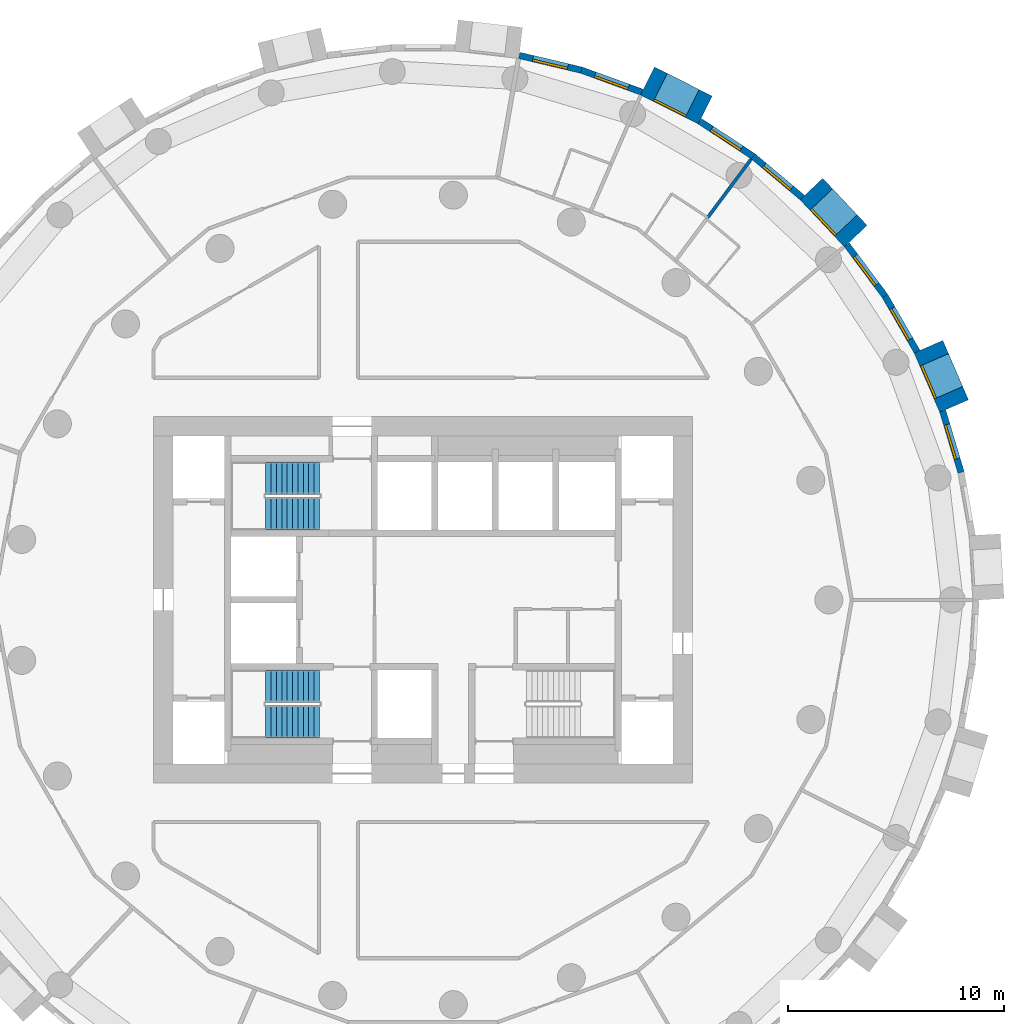
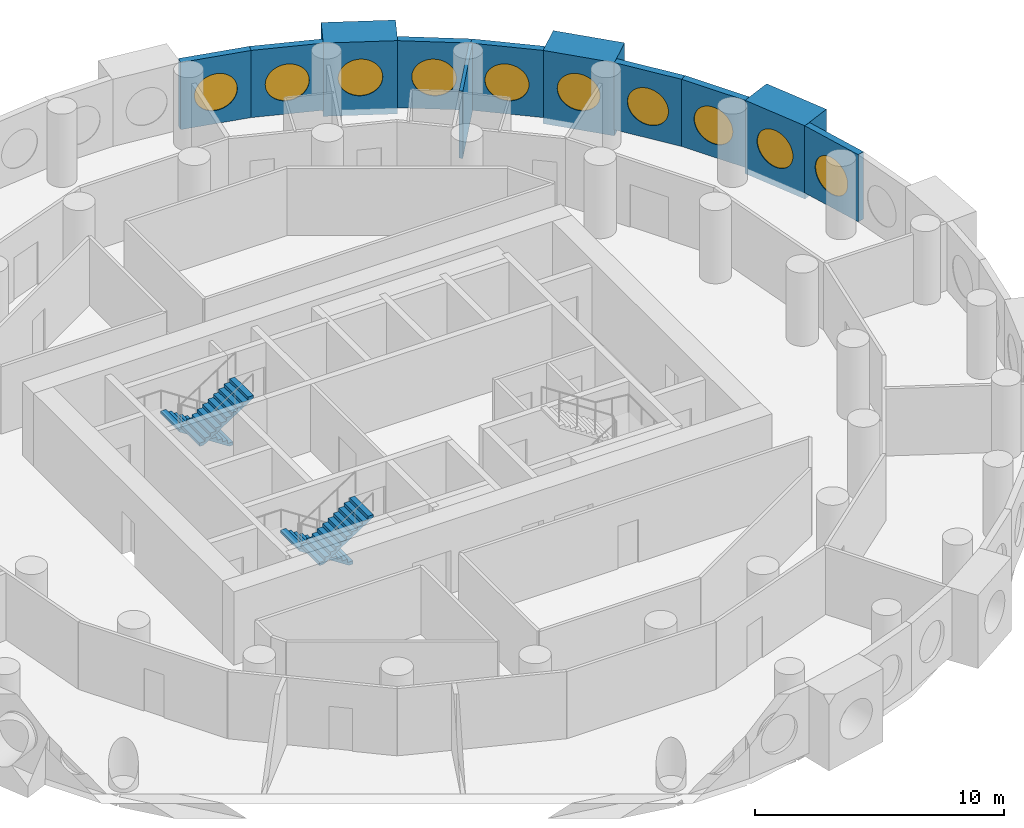
# One storey, part 7 of 9: 11 walls, 10 windows, 4 stair flights, 10 openings, 2 elements without a shape of their own.
"""IFC4 building model written with IfcOpenShell, lengths in metres."""

from ifc_helpers import new_model, si_unit, direction, frame, frame_2d, origin, origin_2d, place, context, subcontext, project, spatial, polyline, rectangle, circle, outline, extrude, material, layer, layer_set, type_object, element, fill, aggregate, save


model = new_model("IFC4")

# Units and contexts
model_context = context("Model", 3, precision=1e-05, world=origin(), true_north=direction((0.0, 1.0)))
body_context = subcontext(model_context, "Body", "Model", "MODEL_VIEW")
ifc_project = project(units=[si_unit("LENGTHUNIT", "METRE"), si_unit("AREAUNIT", "SQUARE_METRE"), si_unit("VOLUMEUNIT", "CUBIC_METRE"), si_unit("PLANEANGLEUNIT", "RADIAN"), si_unit("MASSUNIT", "GRAM", prefix="KILO")], contexts=[model_context])

# Site, building, storey
site_placement = place(None, origin())
site = spatial("IfcSite", under=ifc_project, at=site_placement, CompositionType="ELEMENT")
building_placement = place(site_placement, origin())
building = spatial("IfcBuilding", under=site, at=building_placement, Name="Tracery Tower", CompositionType="ELEMENT")
storey_placement = place(building_placement, frame((0.0, 0.0, 147.60009765625)))
storey = spatial("IfcBuildingStorey", under=building, at=storey_placement, Name="L37", CompositionType="ELEMENT", Elevation=147.60009765625)

# Wall, opening, window
ifc_material_1 = material(Name="Precast concrete C50/60", Category="concrete")
ifc_layer_1 = layer(ifc_material_1, 1.449951171875)
ifc_layer_set_1 = layer_set([ifc_layer_1], Name="Deep-set bay unit 3000 x 3600, slab edge 300")
wall_type_1 = type_object("IfcWallType", Name="Deep-set bay unit 3000 x 3600, slab edge 300", PredefinedType="ELEMENTEDWALL", material=ifc_layer_set_1)
wall_1_placement = place(storey_placement, frame((24.632080078125, 8.99169921875, -0.300048828125), z_axis=(0.0, 0.0, 1.0), x_axis=(-0.396079003245, 0.918216435917, 0.0)))
wall_1 = element("IfcWall", 1, at=wall_1_placement, inside=storey, type_object=wall_type_1, Name="Deep-set bay unit 4 at L37", PredefinedType="ELEMENTEDWALL", context=body_context, shape_type="SweptSolid", body=[
    extrude(rectangle(XDim=3.0, YDim=1.449951171875, at=frame_2d((1.5, 0.0))), origin(), (0.0, 0.0, 1.0), 3.599853515625),
])
opening_1_placement = place(wall_1_placement, frame((1.5, 0.0, 1.85009765625)))
opening_1 = element("IfcOpeningElement", 2, at=opening_1_placement, cuts=wall_1, Name="Opening WN1", PredefinedType="OPENING", context=body_context, shape_type="SweptSolid", body=[
    extrude(circle(Radius=0.9000244140625, at=origin_2d()), frame((0.0, 0.73486328125, 0.0), z_axis=(0.0, -1.0, 0.0), x_axis=(1.0, 0.0, 0.0)), (0.0, 0.0, 1.0), 1.469970703125),
])
ifc_material_2 = material(Name="Aluminium frame with tinted double glazing", Category="aluminium")
window_type = type_object("IfcWindowType", Name="Round window 1800", PartitioningType="SINGLE_PANEL", PredefinedType="WINDOW", material=ifc_material_2)
window_1_placement = place(opening_1_placement, origin())
window_1 = element("IfcWindow", 3, at=window_1_placement, inside=storey, type_object=window_type, Name="Round window 4 at L37", OverallHeight=1.800048828125, OverallWidth=1.800048828125, PartitioningType="SINGLE_PANEL", PredefinedType="WINDOW", context=body_context, shape_type="SweptSolid", body=[
    extrude(circle(Radius=0.9000244140625, at=origin_2d()), frame((0.0, 0.69482421875, 0.0), z_axis=(0.0, -1.0, 0.0), x_axis=(1.0, 0.0, 0.0)), (0.0, 0.0, 1.0), 0.10009765625),
])
fill(opening_1, window_1)

wall_2_placement = place(storey_placement, frame((20.0712890625, 16.8740234375, -0.300048828125), z_axis=(0.0, 0.0, 1.0), x_axis=(-0.686217177108, 0.727396718334, 0.0)))
wall_2 = element("IfcWall", 4, at=wall_2_placement, inside=storey, type_object=wall_type_1, Name="Deep-set bay unit 7 at L37", PredefinedType="ELEMENTEDWALL", context=body_context, shape_type="SweptSolid", body=[
    extrude(rectangle(XDim=3.0, YDim=1.449951171875, at=frame_2d((1.5, 0.0))), origin(), (0.0, 0.0, 1.0), 3.599853515625),
])
opening_2_placement = place(wall_2_placement, frame((1.5, 0.0, 1.85009765625)))
opening_2 = element("IfcOpeningElement", 5, at=opening_2_placement, cuts=wall_2, Name="Opening WN1", PredefinedType="OPENING", context=body_context, shape_type="SweptSolid", body=[
    extrude(circle(Radius=0.9000244140625, at=origin_2d()), frame((0.0, 0.73486328125, 0.0), z_axis=(0.0, -1.0, 0.0), x_axis=(1.0, 0.0, 0.0)), (0.0, 0.0, 1.0), 1.469970703125),
])
window_2_placement = place(opening_2_placement, origin())
window_2 = element("IfcWindow", 6, at=window_2_placement, inside=storey, type_object=window_type, Name="Round window 7 at L37", OverallHeight=1.800048828125, OverallWidth=1.800048828125, PartitioningType="SINGLE_PANEL", PredefinedType="WINDOW", context=body_context, shape_type="SweptSolid", body=[
    extrude(circle(Radius=0.9000244140625, at=origin_2d()), frame((0.0, 0.69482421875, 0.0), z_axis=(0.0, -1.0, 0.0), x_axis=(1.0, 0.0, 0.0)), (0.0, 0.0, 1.0), 0.10009765625),
])
fill(opening_2, window_2)

wall_3_placement = place(storey_placement, frame((13.089599609375, 22.72119140625, -0.300048828125), z_axis=(0.0, 0.0, 1.0), x_axis=(-0.893628249713, 0.448807922518, 0.0)))
wall_3 = element("IfcWall", 7, at=wall_3_placement, inside=storey, type_object=wall_type_1, Name="Deep-set bay unit 10 at L37", PredefinedType="ELEMENTEDWALL", context=body_context, shape_type="SweptSolid", body=[
    extrude(rectangle(XDim=3.0, YDim=1.449951171875, at=frame_2d((1.5, 0.0))), origin(), (0.0, 0.0, 1.0), 3.599853515625),
])
opening_3_placement = place(wall_3_placement, frame((1.5, 0.0, 1.85009765625)))
opening_3 = element("IfcOpeningElement", 8, at=opening_3_placement, cuts=wall_3, Name="Opening WN1", PredefinedType="OPENING", context=body_context, shape_type="SweptSolid", body=[
    extrude(circle(Radius=0.9000244140625, at=origin_2d()), frame((0.0, 0.73486328125, 0.0), z_axis=(0.0, -1.0, 0.0), x_axis=(1.0, 0.0, 0.0)), (0.0, 0.0, 1.0), 1.469970703125),
])
window_3_placement = place(opening_3_placement, origin())
window_3 = element("IfcWindow", 9, at=window_3_placement, inside=storey, type_object=window_type, Name="Round window 10 at L37", OverallHeight=1.800048828125, OverallWidth=1.800048828125, PartitioningType="SINGLE_PANEL", PredefinedType="WINDOW", context=body_context, shape_type="SweptSolid", body=[
    extrude(circle(Radius=0.9000244140625, at=origin_2d()), frame((0.0, 0.69482421875, 0.0), z_axis=(0.0, -1.0, 0.0), x_axis=(1.0, 0.0, 0.0)), (0.0, 0.0, 1.0), 0.10009765625),
])
fill(opening_3, window_3)

ifc_material_3 = material(Name="Precast concrete C50/60", Category="concrete")
ifc_layer_2 = layer(ifc_material_3, 0.300048828125)
ifc_layer_set_2 = layer_set([ifc_layer_2], Name="Facade panel 3000 x 3300")
wall_type_2 = type_object("IfcWallType", Name="Facade panel 3000 x 3300", PredefinedType="SOLIDWALL", material=ifc_layer_set_2)
wall_4_placement = place(storey_placement, frame((24.9560546875, 5.914794921875, 0.0), z_axis=(0.0, 0.0, 1.0), x_axis=(-0.286782750849, 0.957995643944, 0.0)))
wall_4 = element("IfcWall", 10, at=wall_4_placement, inside=storey, type_object=wall_type_2, Name="Facade panel 3 at L37", PredefinedType="SOLIDWALL", context=body_context, shape_type="SweptSolid", body=[
    extrude(rectangle(XDim=2.97265625, YDim=0.300048828125, at=frame_2d((1.486328125, 0.0))), origin(), (0.0, 0.0, 1.0), 3.2998046875),
])
opening_4_placement = place(wall_4_placement, frame((1.486328125, 0.0, 1.5498046875)))
opening_4 = element("IfcOpeningElement", 11, at=opening_4_placement, cuts=wall_4, Name="Opening WN1", PredefinedType="OPENING", context=body_context, shape_type="SweptSolid", body=[
    extrude(circle(Radius=0.9000244140625, at=origin_2d()), frame((0.0, 0.159912109375, 0.0), z_axis=(0.0, -1.0, 0.0), x_axis=(1.0, 0.0, 0.0)), (0.0, 0.0, 1.0), 0.320068359375),
])
window_4_placement = place(opening_4_placement, origin())
window_4 = element("IfcWindow", 12, at=window_4_placement, inside=storey, type_object=window_type, Name="Round window 3 at L37", OverallHeight=1.800048828125, OverallWidth=1.800048828125, PartitioningType="SINGLE_PANEL", PredefinedType="WINDOW", context=body_context, shape_type="SweptSolid", body=[
    extrude(circle(Radius=0.9000244140625, at=origin_2d()), frame((0.0, 0.1201171875, 0.0), z_axis=(0.0, -1.0, 0.0), x_axis=(1.0, 0.0, 0.0)), (0.0, 0.0, 1.0), 0.10009765625),
])
fill(opening_4, window_4)

wall_5_placement = place(storey_placement, frame((22.91455078125, 11.518798828125, 0.0), z_axis=(0.0, 0.0, 1.0), x_axis=(-0.499954672104, 0.866051572276, 0.0)))
wall_5 = element("IfcWall", 13, at=wall_5_placement, inside=storey, type_object=wall_type_2, Name="Facade panel 5 at L37", PredefinedType="SOLIDWALL", context=body_context, shape_type="SweptSolid", body=[
    extrude(rectangle(XDim=2.972900390625, YDim=0.300048828125, at=frame_2d((1.486328125, 0.0))), origin(), (0.0, 0.0, 1.0), 3.2998046875),
])
opening_5_placement = place(wall_5_placement, frame((1.486328125, 0.0, 1.5498046875)))
opening_5 = element("IfcOpeningElement", 14, at=opening_5_placement, cuts=wall_5, Name="Opening WN1", PredefinedType="OPENING", context=body_context, shape_type="SweptSolid", body=[
    extrude(circle(Radius=0.9000244140625, at=origin_2d()), frame((0.0, 0.159912109375, 0.0), z_axis=(0.0, -1.0, 0.0), x_axis=(1.0, 0.0, 0.0)), (0.0, 0.0, 1.0), 0.320068359375),
])
window_5_placement = place(opening_5_placement, origin())
window_5 = element("IfcWindow", 15, at=window_5_placement, inside=storey, type_object=window_type, Name="Round window 5 at L37", OverallHeight=1.800048828125, OverallWidth=1.800048828125, PartitioningType="SINGLE_PANEL", PredefinedType="WINDOW", context=body_context, shape_type="SweptSolid", body=[
    extrude(circle(Radius=0.9000244140625, at=origin_2d()), frame((0.0, 0.1201171875, 0.0), z_axis=(0.0, -1.0, 0.0), x_axis=(1.0, 0.0, 0.0)), (0.0, 0.0, 1.0), 0.10009765625),
])
fill(opening_5, window_5)

wall_6_placement = place(storey_placement, frame((21.42822265625, 14.093505859375, 0.0), z_axis=(0.0, 0.0, 1.0), x_axis=(-0.597197580538, 0.80209416517, 0.0)))
wall_6 = element("IfcWall", 16, at=wall_6_placement, inside=storey, type_object=wall_type_2, Name="Facade panel 6 at L37", PredefinedType="SOLIDWALL", context=body_context, shape_type="SweptSolid", body=[
    extrude(rectangle(XDim=2.972900390625, YDim=0.300048828125, at=frame_2d((1.486328125, 0.0))), origin(), (0.0, 0.0, 1.0), 3.2998046875),
])
opening_6_placement = place(wall_6_placement, frame((1.486328125, 0.0, 1.5498046875)))
opening_6 = element("IfcOpeningElement", 17, at=opening_6_placement, cuts=wall_6, Name="Opening WN1", PredefinedType="OPENING", context=body_context, shape_type="SweptSolid", body=[
    extrude(circle(Radius=0.9000244140625, at=origin_2d()), frame((0.0, 0.159912109375, 0.0), z_axis=(0.0, -1.0, 0.0), x_axis=(1.0, 0.0, 0.0)), (0.0, 0.0, 1.0), 0.320068359375),
])
window_6_placement = place(opening_6_placement, origin())
window_6 = element("IfcWindow", 18, at=window_6_placement, inside=storey, type_object=window_type, Name="Round window 6 at L37", OverallHeight=1.800048828125, OverallWidth=1.800048828125, PartitioningType="SINGLE_PANEL", PredefinedType="WINDOW", context=body_context, shape_type="SweptSolid", body=[
    extrude(circle(Radius=0.9000244140625, at=origin_2d()), frame((0.0, 0.1201171875, 0.0), z_axis=(0.0, -1.0, 0.0), x_axis=(1.0, 0.0, 0.0)), (0.0, 0.0, 1.0), 0.10009765625),
])
fill(opening_6, window_6)

wall_7_placement = place(storey_placement, frame((17.593017578125, 18.661376953125, 0.0), z_axis=(0.0, 0.0, 1.0), x_axis=(-0.766008913364, 0.642829950023, 0.0)))
wall_7 = element("IfcWall", 19, at=wall_7_placement, inside=storey, type_object=wall_type_2, Name="Facade panel 8 at L37", PredefinedType="SOLIDWALL", context=body_context, shape_type="SweptSolid", body=[
    extrude(rectangle(XDim=2.972900390625, YDim=0.300048828125, at=frame_2d((1.486328125, 0.0))), origin(), (0.0, 0.0, 1.0), 3.2998046875),
])
opening_7_placement = place(wall_7_placement, frame((1.486328125, 0.0, 1.5498046875)))
opening_7 = element("IfcOpeningElement", 20, at=opening_7_placement, cuts=wall_7, Name="Opening WN1", PredefinedType="OPENING", context=body_context, shape_type="SweptSolid", body=[
    extrude(circle(Radius=0.9000244140625, at=origin_2d()), frame((0.0, 0.159912109375, 0.0), z_axis=(0.0, -1.0, 0.0), x_axis=(1.0, 0.0, 0.0)), (0.0, 0.0, 1.0), 0.320068359375),
])
window_7_placement = place(opening_7_placement, origin())
window_7 = element("IfcWindow", 21, at=window_7_placement, inside=storey, type_object=window_type, Name="Round window 8 at L37", OverallHeight=1.800048828125, OverallWidth=1.800048828125, PartitioningType="SINGLE_PANEL", PredefinedType="WINDOW", context=body_context, shape_type="SweptSolid", body=[
    extrude(circle(Radius=0.9000244140625, at=origin_2d()), frame((0.0, 0.1201171875, 0.0), z_axis=(0.0, -1.0, 0.0), x_axis=(1.0, 0.0, 0.0)), (0.0, 0.0, 1.0), 0.10009765625),
])
fill(opening_7, window_7)

wall_8_placement = place(storey_placement, frame((15.315673828125, 20.572509765625, 0.0), z_axis=(0.0, 0.0, 1.0), x_axis=(-0.835508361394, 0.54947773207, 0.0)))
wall_8 = element("IfcWall", 22, at=wall_8_placement, inside=storey, type_object=wall_type_2, Name="Facade panel 9 at L37", PredefinedType="SOLIDWALL", context=body_context, shape_type="SweptSolid", body=[
    extrude(rectangle(XDim=2.972900390625, YDim=0.300048828125, at=frame_2d((1.486328125, 0.0))), origin(), (0.0, 0.0, 1.0), 3.2998046875),
])
opening_8_placement = place(wall_8_placement, frame((1.486328125, 0.0, 1.5498046875)))
opening_8 = element("IfcOpeningElement", 23, at=opening_8_placement, cuts=wall_8, Name="Opening WN1", PredefinedType="OPENING", context=body_context, shape_type="SweptSolid", body=[
    extrude(circle(Radius=0.9000244140625, at=origin_2d()), frame((0.0, 0.159912109375, 0.0), z_axis=(0.0, -1.0, 0.0), x_axis=(1.0, 0.0, 0.0)), (0.0, 0.0, 1.0), 0.320068359375),
])
window_8_placement = place(opening_8_placement, origin())
window_8 = element("IfcWindow", 24, at=window_8_placement, inside=storey, type_object=window_type, Name="Round window 9 at L37", OverallHeight=1.800048828125, OverallWidth=1.800048828125, PartitioningType="SINGLE_PANEL", PredefinedType="WINDOW", context=body_context, shape_type="SweptSolid", body=[
    extrude(circle(Radius=0.9000244140625, at=origin_2d()), frame((0.0, 0.1201171875, 0.0), z_axis=(0.0, -1.0, 0.0), x_axis=(1.0, 0.0, 0.0)), (0.0, 0.0, 1.0), 0.10009765625),
])
fill(opening_8, window_8)

wall_9_placement = place(storey_placement, frame((10.1494140625, 23.55322265625, 0.0), z_axis=(0.0, 0.0, 1.0), x_axis=(-0.939690282133, 0.342026568652, 0.0)))
wall_9 = element("IfcWall", 25, at=wall_9_placement, inside=storey, type_object=wall_type_2, Name="Facade panel 11 at L37", PredefinedType="SOLIDWALL", context=body_context, shape_type="SweptSolid", body=[
    extrude(rectangle(XDim=2.972900390625, YDim=0.300048828125, at=frame_2d((1.486328125, 0.0))), origin(), (0.0, 0.0, 1.0), 3.2998046875),
])
opening_9_placement = place(wall_9_placement, frame((1.486328125, 0.0, 1.5498046875)))
opening_9 = element("IfcOpeningElement", 26, at=opening_9_placement, cuts=wall_9, Name="Opening WN1", PredefinedType="OPENING", context=body_context, shape_type="SweptSolid", body=[
    extrude(circle(Radius=0.9000244140625, at=origin_2d()), frame((0.0, 0.159912109375, 0.0), z_axis=(0.0, -1.0, 0.0), x_axis=(1.0, 0.0, 0.0)), (0.0, 0.0, 1.0), 0.320068359375),
])
window_9_placement = place(opening_9_placement, origin())
window_9 = element("IfcWindow", 27, at=window_9_placement, inside=storey, type_object=window_type, Name="Round window 11 at L37", OverallHeight=1.800048828125, OverallWidth=1.800048828125, PartitioningType="SINGLE_PANEL", PredefinedType="WINDOW", context=body_context, shape_type="SweptSolid", body=[
    extrude(circle(Radius=0.9000244140625, at=origin_2d()), frame((0.0, 0.1201171875, 0.0), z_axis=(0.0, -1.0, 0.0), x_axis=(1.0, 0.0, 0.0)), (0.0, 0.0, 1.0), 0.10009765625),
])
fill(opening_9, window_9)

wall_10_placement = place(storey_placement, frame((7.355712890625, 24.570068359375, 0.0), z_axis=(0.0, 0.0, 1.0), x_axis=(-0.973045378923, 0.230613725862, 0.0)))
wall_10 = element("IfcWall", 28, at=wall_10_placement, inside=storey, type_object=wall_type_2, Name="Facade panel 12 at L37", PredefinedType="SOLIDWALL", context=body_context, shape_type="SweptSolid", body=[
    extrude(rectangle(XDim=2.97265625, YDim=0.300048828125, at=frame_2d((1.486328125, 0.0))), origin(), (0.0, 0.0, 1.0), 3.2998046875),
])
opening_10_placement = place(wall_10_placement, frame((1.486328125, 0.0, 1.5498046875)))
opening_10 = element("IfcOpeningElement", 29, at=opening_10_placement, cuts=wall_10, Name="Opening WN1", PredefinedType="OPENING", context=body_context, shape_type="SweptSolid", body=[
    extrude(circle(Radius=0.9000244140625, at=origin_2d()), frame((0.0, 0.159912109375, 0.0), z_axis=(0.0, -1.0, 0.0), x_axis=(1.0, 0.0, 0.0)), (0.0, 0.0, 1.0), 0.320068359375),
])
window_10_placement = place(opening_10_placement, origin())
window_10 = element("IfcWindow", 30, at=window_10_placement, inside=storey, type_object=window_type, Name="Round window 12 at L37", OverallHeight=1.800048828125, OverallWidth=1.800048828125, PartitioningType="SINGLE_PANEL", PredefinedType="WINDOW", context=body_context, shape_type="SweptSolid", body=[
    extrude(circle(Radius=0.9000244140625, at=origin_2d()), frame((0.0, 0.1201171875, 0.0), z_axis=(0.0, -1.0, 0.0), x_axis=(1.0, 0.0, 0.0)), (0.0, 0.0, 1.0), 0.10009765625),
])
fill(opening_10, window_10)

# Wall
ifc_material_4 = material(Name="Plasterboard on steel studs", Category="steel")
ifc_layer_3 = layer(ifc_material_4, 0.14990234375)
ifc_layer_set_3 = layer_set([ifc_layer_3], Name="Partition 150 acoustic unit wall")
wall_type_3 = type_object("IfcWallType", Name="Partition 150 acoustic unit wall", PredefinedType="PARTITIONING", material=ifc_layer_set_3)
wall_11_placement = place(storey_placement, frame((13.201904296875, 17.73291015625, 0.0), z_axis=(0.0, 0.0, 1.0), x_axis=(0.597149819296, 0.802129723495, 0.0)))
element("IfcWall", 31, at=wall_11_placement, inside=storey, type_object=wall_type_3, Name="Unit wall RB3-043", PredefinedType="PARTITIONING", context=body_context, shape_type="SweptSolid", body=[
    extrude(rectangle(XDim=3.3896484375, YDim=0.14990234375, at=frame_2d((1.69482421875, 0.0))), origin(), (0.0, 0.0, 1.0), 3.2998046875),
])

# Stair, stair flights
ifc_material_5 = material(Name="Concrete C32/40", Category="concrete")
stair_type = type_object("IfcStairType", Name="Core stair 22 risers", PredefinedType="HALF_TURN_STAIR", material=ifc_material_5)
stair_1_placement = place(storey_placement, origin())
stair_1 = element("IfcStair", 32, at=stair_1_placement, inside=storey, type_object=stair_type, Name="L37 stair ST1", PredefinedType="HALF_TURN_STAIR")
ifc_material_6 = material(Name="Concrete C32/40", Category="concrete")
stair_flight_type = type_object("IfcStairFlightType", Name="Core stair flight 11 risers", PredefinedType="STRAIGHT", material=ifc_material_6)
stair_flight_1_placement = place(storey_placement, frame((-4.800048828125, -4.0, 0.0), z_axis=(0.0, 0.0, 1.0), x_axis=(-1.0, 0.0, 0.0)))
stair_flight_1 = element("IfcStairFlight", 33, at=stair_flight_1_placement, type_object=stair_flight_type, Name="ST1 flight 1", NumberOfRisers=11, NumberOfTreads=10, PredefinedType="STRAIGHT", RiserHeight=0.163636364, TreadLength=0.25, context=body_context, shape_type="SweptSolid", body=[
    extrude(outline(polyline([(0.0, 0.0), (0.0, 0.002685546875), (0.0, 0.00537109375), (0.0, 0.008056640625), (0.0, 0.0107421875), (0.0, 0.013427734375), (0.0, 0.01611328125), (0.0, 0.018798828125), (0.0, 0.021484375), (0.0, 0.024169921875), (0.0, 0.02685546875), (0.0, 0.029541015625), (0.0, 0.0322265625), (0.0, 0.034912109375), (0.0, 0.03759765625), (0.0, 0.040283203125), (0.0, 0.04296875), (0.0, 0.045654296875), (0.0, 0.04833984375), (0.0, 0.051025390625), (0.0, 0.0537109375), (0.0, 0.056396484375), (0.0, 0.05908203125), (0.0, 0.061767578125), (0.0, 0.064453125), (0.0, 0.067138671875), (0.0, 0.06982421875), (0.0, 0.072509765625), (0.0, 0.0751953125), (0.0, 0.077880859375), (0.0, 0.08056640625), (0.0, 0.083251953125), (0.0, 0.0859375), (0.0, 0.088623046875), (0.0, 0.09130859375), (0.0, 0.093994140625), (0.0, 0.0966796875), (0.0, 0.099365234375), (0.0, 0.10205078125), (0.0, 0.104736328125), (0.0, 0.107421875), (0.0, 0.10986328125), (0.0, 0.112548828125), (0.0, 0.115234375), (0.0, 0.117919921875), (0.0, 0.12060546875), (0.0, 0.123291015625), (0.0, 0.1259765625), (0.0, 0.128662109375), (0.0, 0.13134765625), (0.0, 0.134033203125), (0.0, 0.13671875), (0.0, 0.139404296875), (0.0, 0.14208984375), (0.0, 0.144775390625), (0.0, 0.1474609375), (0.0, 0.150146484375), (0.0, 0.15283203125), (0.0, 0.155517578125), (0.0, 0.158203125), (0.0, 0.160888671875), (0.0, 0.16357421875), (0.25, 0.16357421875), (0.25, 0.327392578125), (0.5, 0.327392578125), (0.5, 0.490966796875), (0.75, 0.490966796875), (0.75, 0.654541015625), (1.0, 0.654541015625), (1.0, 0.818115234375), (1.25, 0.818115234375), (1.25, 0.98193359375), (1.5, 0.98193359375), (1.5, 1.1455078125), (1.75, 1.1455078125), (1.75, 1.30908203125), (2.0, 1.30908203125), (2.0, 1.47265625), (2.25, 1.47265625), (2.25, 1.636474609375), (2.5, 1.636474609375), (2.5, 1.634521484375), (2.5, 1.63232421875), (2.5, 1.63037109375), (2.5, 1.62841796875), (2.5, 1.62646484375), (2.5, 1.62451171875), (2.5, 1.62255859375), (2.5, 1.62060546875), (2.5, 1.61865234375), (2.5, 1.61669921875), (2.5, 1.61474609375), (2.5, 1.61279296875), (2.5, 1.61083984375), (2.5, 1.60888671875), (2.5, 1.60693359375), (2.5, 1.60498046875), (2.5, 1.60302734375), (2.5, 1.60107421875), (2.5, 1.59912109375), (2.5, 1.59716796875), (2.5, 1.59521484375), (2.5, 1.59326171875), (2.5, 1.59130859375), (2.5, 1.58935546875), (2.5, 1.58740234375), (2.5, 1.58544921875), (2.5, 1.58349609375), (2.5, 1.58154296875), (2.5, 1.57958984375), (2.5, 1.57763671875), (2.5, 1.57568359375), (2.5, 1.573486328125), (2.5, 1.571533203125), (2.5, 1.569580078125), (2.5, 1.567626953125), (2.5, 1.565673828125), (2.5, 1.563720703125), (2.5, 1.561767578125), (2.5, 1.559814453125), (2.5, 1.557861328125), (2.5, 1.555908203125), (2.5, 1.553955078125), (2.5, 1.552001953125), (2.5, 1.550048828125), (2.5, 1.548095703125), (2.5, 1.546142578125), (2.5, 1.544189453125), (2.5, 1.542236328125), (2.5, 1.540283203125), (2.5, 1.538330078125), (2.5, 1.536376953125), (2.5, 1.534423828125), (2.5, 1.532470703125), (2.5, 1.530517578125), (2.5, 1.528564453125), (2.5, 1.526611328125), (2.5, 1.524658203125), (2.5, 1.522705078125), (2.5, 1.520751953125), (2.5, 1.518798828125), (2.5, 1.516845703125), (0.182861328125, 0.0), (0.0, 0.0)])), frame((0.0, 0.75, 0.0), z_axis=(0.0, -1.0, 0.0), x_axis=(1.0, 0.0, 0.0)), (0.0, 0.0, 1.0), 1.5),
])
stair_flight_2_placement = place(storey_placement, frame((-7.300048828125, -5.64990234375, 1.7998046875), z_axis=(0.0, 0.0, 1.0), x_axis=(1.0, 0.0, 0.0)))
stair_flight_2 = element("IfcStairFlight", 34, at=stair_flight_2_placement, type_object=stair_flight_type, Name="ST1 flight 2", NumberOfRisers=11, NumberOfTreads=10, PredefinedType="STRAIGHT", RiserHeight=0.163636364, TreadLength=0.25, context=body_context, shape_type="SweptSolid", body=[
    extrude(outline(polyline([(0.0, 0.0), (0.0, 0.002685546875), (0.0, 0.00537109375), (0.0, 0.008056640625), (0.0, 0.0107421875), (0.0, 0.013427734375), (0.0, 0.01611328125), (0.0, 0.018798828125), (0.0, 0.021484375), (0.0, 0.024169921875), (0.0, 0.02685546875), (0.0, 0.029541015625), (0.0, 0.0322265625), (0.0, 0.034912109375), (0.0, 0.03759765625), (0.0, 0.040283203125), (0.0, 0.04296875), (0.0, 0.045654296875), (0.0, 0.04833984375), (0.0, 0.051025390625), (0.0, 0.0537109375), (0.0, 0.056396484375), (0.0, 0.05908203125), (0.0, 0.061767578125), (0.0, 0.064453125), (0.0, 0.067138671875), (0.0, 0.06982421875), (0.0, 0.072509765625), (0.0, 0.0751953125), (0.0, 0.077880859375), (0.0, 0.08056640625), (0.0, 0.083251953125), (0.0, 0.0859375), (0.0, 0.088623046875), (0.0, 0.09130859375), (0.0, 0.093994140625), (0.0, 0.0966796875), (0.0, 0.099365234375), (0.0, 0.10205078125), (0.0, 0.104736328125), (0.0, 0.107421875), (0.0, 0.10986328125), (0.0, 0.112548828125), (0.0, 0.115234375), (0.0, 0.117919921875), (0.0, 0.12060546875), (0.0, 0.123291015625), (0.0, 0.1259765625), (0.0, 0.128662109375), (0.0, 0.13134765625), (0.0, 0.134033203125), (0.0, 0.13671875), (0.0, 0.139404296875), (0.0, 0.14208984375), (0.0, 0.144775390625), (0.0, 0.1474609375), (0.0, 0.150146484375), (0.0, 0.15283203125), (0.0, 0.155517578125), (0.0, 0.158203125), (0.0, 0.160888671875), (0.0, 0.16357421875), (0.25, 0.16357421875), (0.25, 0.327392578125), (0.5, 0.327392578125), (0.5, 0.490966796875), (0.75, 0.490966796875), (0.75, 0.654541015625), (1.0, 0.654541015625), (1.0, 0.818115234375), (1.25, 0.818115234375), (1.25, 0.98193359375), (1.5, 0.98193359375), (1.5, 1.1455078125), (1.75, 1.1455078125), (1.75, 1.30908203125), (2.0, 1.30908203125), (2.0, 1.47265625), (2.25, 1.47265625), (2.25, 1.636474609375), (2.5, 1.636474609375), (2.5, 1.634521484375), (2.5, 1.63232421875), (2.5, 1.63037109375), (2.5, 1.62841796875), (2.5, 1.62646484375), (2.5, 1.62451171875), (2.5, 1.62255859375), (2.5, 1.62060546875), (2.5, 1.61865234375), (2.5, 1.61669921875), (2.5, 1.61474609375), (2.5, 1.61279296875), (2.5, 1.61083984375), (2.5, 1.60888671875), (2.5, 1.60693359375), (2.5, 1.60498046875), (2.5, 1.60302734375), (2.5, 1.60107421875), (2.5, 1.59912109375), (2.5, 1.59716796875), (2.5, 1.59521484375), (2.5, 1.59326171875), (2.5, 1.59130859375), (2.5, 1.58935546875), (2.5, 1.58740234375), (2.5, 1.58544921875), (2.5, 1.58349609375), (2.5, 1.58154296875), (2.5, 1.57958984375), (2.5, 1.57763671875), (2.5, 1.57568359375), (2.5, 1.573486328125), (2.5, 1.571533203125), (2.5, 1.569580078125), (2.5, 1.567626953125), (2.5, 1.565673828125), (2.5, 1.563720703125), (2.5, 1.561767578125), (2.5, 1.559814453125), (2.5, 1.557861328125), (2.5, 1.555908203125), (2.5, 1.553955078125), (2.5, 1.552001953125), (2.5, 1.550048828125), (2.5, 1.548095703125), (2.5, 1.546142578125), (2.5, 1.544189453125), (2.5, 1.542236328125), (2.5, 1.540283203125), (2.5, 1.538330078125), (2.5, 1.536376953125), (2.5, 1.534423828125), (2.5, 1.532470703125), (2.5, 1.530517578125), (2.5, 1.528564453125), (2.5, 1.526611328125), (2.5, 1.524658203125), (2.5, 1.522705078125), (2.5, 1.520751953125), (2.5, 1.518798828125), (2.5, 1.516845703125), (0.182861328125, 0.0), (0.0, 0.0)])), frame((0.0, 0.75, 0.0), z_axis=(0.0, -1.0, 0.0), x_axis=(1.0, 0.0, 0.0)), (0.0, 0.0, 1.0), 1.5),
])
aggregate(stair_1, [stair_flight_1, stair_flight_2])

stair_2_placement = place(storey_placement, origin())
stair_2 = element("IfcStair", 35, at=stair_2_placement, inside=storey, type_object=stair_type, Name="L37 stair ST3", PredefinedType="HALF_TURN_STAIR")
stair_flight_3_placement = place(storey_placement, frame((-4.800048828125, 5.64990234375, 0.0), z_axis=(0.0, 0.0, 1.0), x_axis=(-1.0, 0.0, 0.0)))
stair_flight_3 = element("IfcStairFlight", 36, at=stair_flight_3_placement, type_object=stair_flight_type, Name="ST3 flight 1", NumberOfRisers=11, NumberOfTreads=10, PredefinedType="STRAIGHT", RiserHeight=0.163636364, TreadLength=0.25, context=body_context, shape_type="SweptSolid", body=[
    extrude(outline(polyline([(0.0, 0.0), (0.0, 0.002685546875), (0.0, 0.00537109375), (0.0, 0.008056640625), (0.0, 0.0107421875), (0.0, 0.013427734375), (0.0, 0.01611328125), (0.0, 0.018798828125), (0.0, 0.021484375), (0.0, 0.024169921875), (0.0, 0.02685546875), (0.0, 0.029541015625), (0.0, 0.0322265625), (0.0, 0.034912109375), (0.0, 0.03759765625), (0.0, 0.040283203125), (0.0, 0.04296875), (0.0, 0.045654296875), (0.0, 0.04833984375), (0.0, 0.051025390625), (0.0, 0.0537109375), (0.0, 0.056396484375), (0.0, 0.05908203125), (0.0, 0.061767578125), (0.0, 0.064453125), (0.0, 0.067138671875), (0.0, 0.06982421875), (0.0, 0.072509765625), (0.0, 0.0751953125), (0.0, 0.077880859375), (0.0, 0.08056640625), (0.0, 0.083251953125), (0.0, 0.0859375), (0.0, 0.088623046875), (0.0, 0.09130859375), (0.0, 0.093994140625), (0.0, 0.0966796875), (0.0, 0.099365234375), (0.0, 0.10205078125), (0.0, 0.104736328125), (0.0, 0.107421875), (0.0, 0.10986328125), (0.0, 0.112548828125), (0.0, 0.115234375), (0.0, 0.117919921875), (0.0, 0.12060546875), (0.0, 0.123291015625), (0.0, 0.1259765625), (0.0, 0.128662109375), (0.0, 0.13134765625), (0.0, 0.134033203125), (0.0, 0.13671875), (0.0, 0.139404296875), (0.0, 0.14208984375), (0.0, 0.144775390625), (0.0, 0.1474609375), (0.0, 0.150146484375), (0.0, 0.15283203125), (0.0, 0.155517578125), (0.0, 0.158203125), (0.0, 0.160888671875), (0.0, 0.16357421875), (0.25, 0.16357421875), (0.25, 0.327392578125), (0.5, 0.327392578125), (0.5, 0.490966796875), (0.75, 0.490966796875), (0.75, 0.654541015625), (1.0, 0.654541015625), (1.0, 0.818115234375), (1.25, 0.818115234375), (1.25, 0.98193359375), (1.5, 0.98193359375), (1.5, 1.1455078125), (1.75, 1.1455078125), (1.75, 1.30908203125), (2.0, 1.30908203125), (2.0, 1.47265625), (2.25, 1.47265625), (2.25, 1.636474609375), (2.5, 1.636474609375), (2.5, 1.634521484375), (2.5, 1.63232421875), (2.5, 1.63037109375), (2.5, 1.62841796875), (2.5, 1.62646484375), (2.5, 1.62451171875), (2.5, 1.62255859375), (2.5, 1.62060546875), (2.5, 1.61865234375), (2.5, 1.61669921875), (2.5, 1.61474609375), (2.5, 1.61279296875), (2.5, 1.61083984375), (2.5, 1.60888671875), (2.5, 1.60693359375), (2.5, 1.60498046875), (2.5, 1.60302734375), (2.5, 1.60107421875), (2.5, 1.59912109375), (2.5, 1.59716796875), (2.5, 1.59521484375), (2.5, 1.59326171875), (2.5, 1.59130859375), (2.5, 1.58935546875), (2.5, 1.58740234375), (2.5, 1.58544921875), (2.5, 1.58349609375), (2.5, 1.58154296875), (2.5, 1.57958984375), (2.5, 1.57763671875), (2.5, 1.57568359375), (2.5, 1.573486328125), (2.5, 1.571533203125), (2.5, 1.569580078125), (2.5, 1.567626953125), (2.5, 1.565673828125), (2.5, 1.563720703125), (2.5, 1.561767578125), (2.5, 1.559814453125), (2.5, 1.557861328125), (2.5, 1.555908203125), (2.5, 1.553955078125), (2.5, 1.552001953125), (2.5, 1.550048828125), (2.5, 1.548095703125), (2.5, 1.546142578125), (2.5, 1.544189453125), (2.5, 1.542236328125), (2.5, 1.540283203125), (2.5, 1.538330078125), (2.5, 1.536376953125), (2.5, 1.534423828125), (2.5, 1.532470703125), (2.5, 1.530517578125), (2.5, 1.528564453125), (2.5, 1.526611328125), (2.5, 1.524658203125), (2.5, 1.522705078125), (2.5, 1.520751953125), (2.5, 1.518798828125), (2.5, 1.516845703125), (0.182861328125, 0.0), (0.0, 0.0)])), frame((0.0, 0.75, 0.0), z_axis=(0.0, -1.0, 0.0), x_axis=(1.0, 0.0, 0.0)), (0.0, 0.0, 1.0), 1.5),
])
stair_flight_4_placement = place(storey_placement, frame((-7.300048828125, 4.0, 1.7998046875), z_axis=(0.0, 0.0, 1.0), x_axis=(1.0, 0.0, 0.0)))
stair_flight_4 = element("IfcStairFlight", 37, at=stair_flight_4_placement, type_object=stair_flight_type, Name="ST3 flight 2", NumberOfRisers=11, NumberOfTreads=10, PredefinedType="STRAIGHT", RiserHeight=0.163636364, TreadLength=0.25, context=body_context, shape_type="SweptSolid", body=[
    extrude(outline(polyline([(0.0, 0.0), (0.0, 0.002685546875), (0.0, 0.00537109375), (0.0, 0.008056640625), (0.0, 0.0107421875), (0.0, 0.013427734375), (0.0, 0.01611328125), (0.0, 0.018798828125), (0.0, 0.021484375), (0.0, 0.024169921875), (0.0, 0.02685546875), (0.0, 0.029541015625), (0.0, 0.0322265625), (0.0, 0.034912109375), (0.0, 0.03759765625), (0.0, 0.040283203125), (0.0, 0.04296875), (0.0, 0.045654296875), (0.0, 0.04833984375), (0.0, 0.051025390625), (0.0, 0.0537109375), (0.0, 0.056396484375), (0.0, 0.05908203125), (0.0, 0.061767578125), (0.0, 0.064453125), (0.0, 0.067138671875), (0.0, 0.06982421875), (0.0, 0.072509765625), (0.0, 0.0751953125), (0.0, 0.077880859375), (0.0, 0.08056640625), (0.0, 0.083251953125), (0.0, 0.0859375), (0.0, 0.088623046875), (0.0, 0.09130859375), (0.0, 0.093994140625), (0.0, 0.0966796875), (0.0, 0.099365234375), (0.0, 0.10205078125), (0.0, 0.104736328125), (0.0, 0.107421875), (0.0, 0.10986328125), (0.0, 0.112548828125), (0.0, 0.115234375), (0.0, 0.117919921875), (0.0, 0.12060546875), (0.0, 0.123291015625), (0.0, 0.1259765625), (0.0, 0.128662109375), (0.0, 0.13134765625), (0.0, 0.134033203125), (0.0, 0.13671875), (0.0, 0.139404296875), (0.0, 0.14208984375), (0.0, 0.144775390625), (0.0, 0.1474609375), (0.0, 0.150146484375), (0.0, 0.15283203125), (0.0, 0.155517578125), (0.0, 0.158203125), (0.0, 0.160888671875), (0.0, 0.16357421875), (0.25, 0.16357421875), (0.25, 0.327392578125), (0.5, 0.327392578125), (0.5, 0.490966796875), (0.75, 0.490966796875), (0.75, 0.654541015625), (1.0, 0.654541015625), (1.0, 0.818115234375), (1.25, 0.818115234375), (1.25, 0.98193359375), (1.5, 0.98193359375), (1.5, 1.1455078125), (1.75, 1.1455078125), (1.75, 1.30908203125), (2.0, 1.30908203125), (2.0, 1.47265625), (2.25, 1.47265625), (2.25, 1.636474609375), (2.5, 1.636474609375), (2.5, 1.634521484375), (2.5, 1.63232421875), (2.5, 1.63037109375), (2.5, 1.62841796875), (2.5, 1.62646484375), (2.5, 1.62451171875), (2.5, 1.62255859375), (2.5, 1.62060546875), (2.5, 1.61865234375), (2.5, 1.61669921875), (2.5, 1.61474609375), (2.5, 1.61279296875), (2.5, 1.61083984375), (2.5, 1.60888671875), (2.5, 1.60693359375), (2.5, 1.60498046875), (2.5, 1.60302734375), (2.5, 1.60107421875), (2.5, 1.59912109375), (2.5, 1.59716796875), (2.5, 1.59521484375), (2.5, 1.59326171875), (2.5, 1.59130859375), (2.5, 1.58935546875), (2.5, 1.58740234375), (2.5, 1.58544921875), (2.5, 1.58349609375), (2.5, 1.58154296875), (2.5, 1.57958984375), (2.5, 1.57763671875), (2.5, 1.57568359375), (2.5, 1.573486328125), (2.5, 1.571533203125), (2.5, 1.569580078125), (2.5, 1.567626953125), (2.5, 1.565673828125), (2.5, 1.563720703125), (2.5, 1.561767578125), (2.5, 1.559814453125), (2.5, 1.557861328125), (2.5, 1.555908203125), (2.5, 1.553955078125), (2.5, 1.552001953125), (2.5, 1.550048828125), (2.5, 1.548095703125), (2.5, 1.546142578125), (2.5, 1.544189453125), (2.5, 1.542236328125), (2.5, 1.540283203125), (2.5, 1.538330078125), (2.5, 1.536376953125), (2.5, 1.534423828125), (2.5, 1.532470703125), (2.5, 1.530517578125), (2.5, 1.528564453125), (2.5, 1.526611328125), (2.5, 1.524658203125), (2.5, 1.522705078125), (2.5, 1.520751953125), (2.5, 1.518798828125), (2.5, 1.516845703125), (0.182861328125, 0.0), (0.0, 0.0)])), frame((0.0, 0.75, 0.0), z_axis=(0.0, -1.0, 0.0), x_axis=(1.0, 0.0, 0.0)), (0.0, 0.0, 1.0), 1.5),
])
aggregate(stair_2, [stair_flight_3, stair_flight_4])

save(model, "model.ifc")
